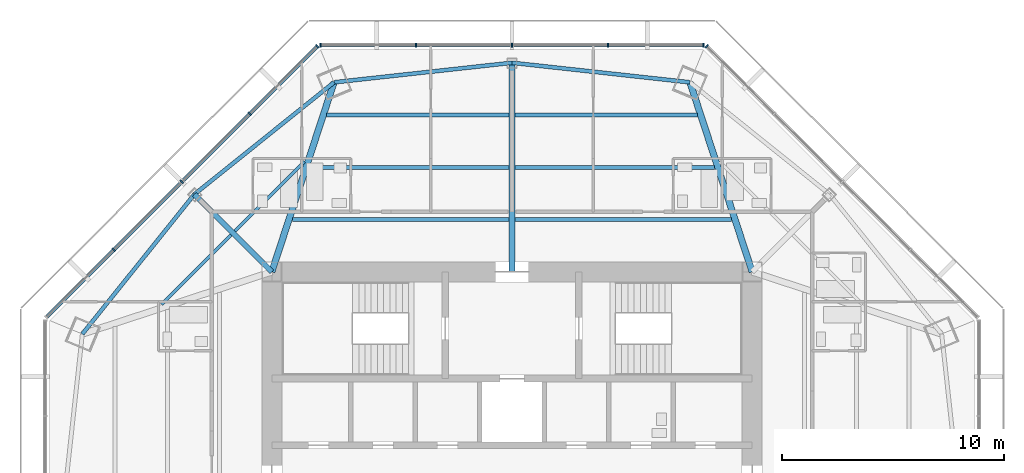
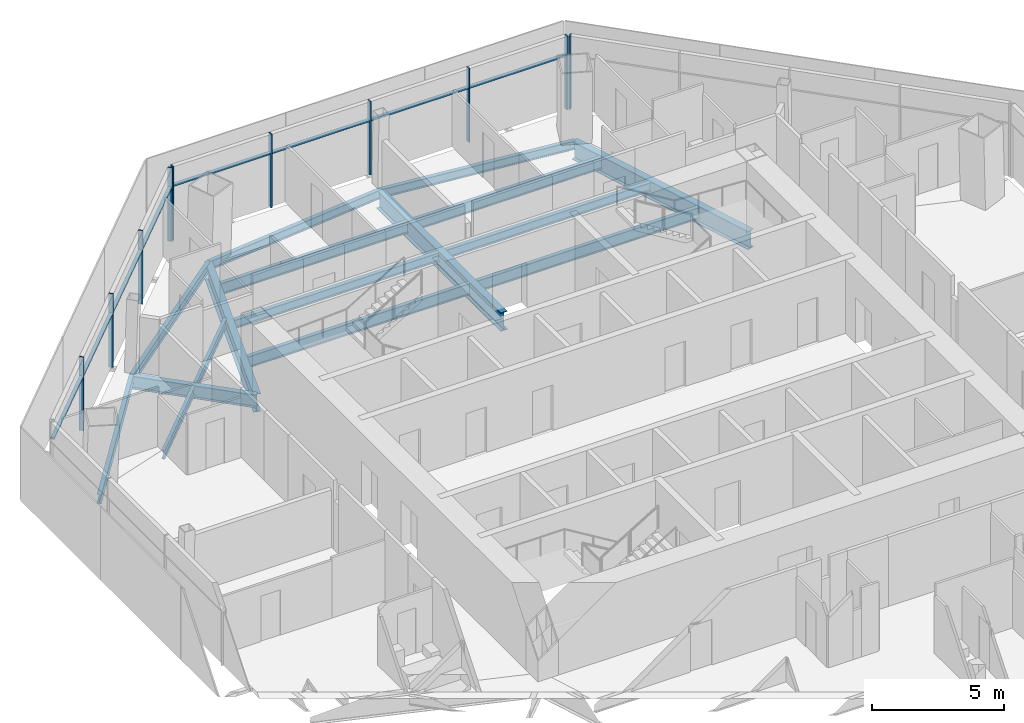
# One storey, part 5 of 15: 18 members, 16 beams, 3 elements without a shape of their own.
"""IFC4 building model written with IfcOpenShell, lengths in metres."""

from ifc_helpers import new_model, si_unit, direction, frame, origin, origin_2d, place, context, subcontext, project, spatial, rectangle, i_section, extrude, source, transform, mapped, material, material_profile, profile_set, type_object, type_shapes, element, aggregate, save


model = new_model("IFC4")

# Units and contexts
model_context = context("Model", 3, precision=1e-05, world=origin(), true_north=direction((0.0, 1.0)))
body_context = subcontext(model_context, "Body", "Model", "MODEL_VIEW")
ifc_project = project(units=[si_unit("LENGTHUNIT", "METRE"), si_unit("AREAUNIT", "SQUARE_METRE"), si_unit("VOLUMEUNIT", "CUBIC_METRE"), si_unit("PLANEANGLEUNIT", "RADIAN"), si_unit("MASSUNIT", "GRAM", prefix="KILO")], contexts=[model_context])

# Site, building, storey
site_placement = place(None, origin())
site = spatial("IfcSite", under=ifc_project, at=site_placement, CompositionType="ELEMENT")
building_placement = place(site_placement, origin())
building = spatial("IfcBuilding", under=site, at=building_placement, Name="Mashrafa Tower", CompositionType="ELEMENT")
storey_placement = place(building_placement, frame((0.0, 0.0, 248.199951171875)))
storey = spatial("IfcBuildingStorey", under=building, at=storey_placement, Name="L59", CompositionType="ELEMENT", Elevation=248.199951171875)

# Beams
ifc_material_1 = material(Name="Steel ASTM A992", Category="steel")
ifc_material_profile_1 = material_profile(ifc_material_1, i_section(OverallWidth=0.140380859375, OverallDepth=0.40380859375, WebThickness=0.007080078125, FlangeThickness=0.01123046875, FilletRadius=0.01025390625, at=origin_2d()), Name="W16X31")
ifc_profile_set_1 = profile_set([ifc_material_profile_1], Name="Steel ASTM A992")
beam_type_1 = type_object("IfcBeamType", Name="Beam W16X31", PredefinedType="BEAM", material=ifc_profile_set_1)
for number, where, z_axis, x_axis, name in (
    (1, (-15.756103515625, 9.326904296875, -0.40185546875), (0.707106781187, 0.707106781187, 0.0), (-0.707106781187, 0.707106781187, 0.0), "Floor beam L59 003"),
    (2, (-12.4609375, 12.6220703125, -0.40185546875), (0.707106781187, 0.707106781187, 0.0), (-0.707106781187, 0.707106781187, 0.0), "Floor beam L59 009"),
):
    element("IfcBeam", number, at=place(storey_placement, frame(where, z_axis=z_axis, x_axis=x_axis)), inside=storey, type_object=beam_type_1, Name=name, PredefinedType="BEAM", context=body_context, shape_type="SweptSolid", body=[
        extrude(i_section(OverallWidth=0.140380859375, OverallDepth=0.40380859375, WebThickness=0.007080078125, FlangeThickness=0.01123046875, FilletRadius=0.01025390625, at=origin_2d()), origin(), (0.0, 0.0, 1.0), 4.43212890625),
    ])
ifc_material_2 = material(Name="Steel ASTM A992", Category="steel")
ifc_material_profile_2 = material_profile(ifc_material_2, i_section(OverallWidth=0.177734375, OverallDepth=0.406494140625, WebThickness=0.0078125, FlangeThickness=0.012939453125, FilletRadius=0.01025390625, at=origin_2d()), Name="W16X40")
ifc_profile_set_2 = profile_set([ifc_material_profile_2], Name="Steel ASTM A992")
beam_type_2 = type_object("IfcBeamType", Name="Beam W16X40", PredefinedType="BEAM", material=ifc_profile_set_2)
for number, where, z_axis, x_axis, name in (
    (3, (-9.103515625, 15.49951171875, -0.403076171875), (1.0, 0.0, 0.0), (0.0, 1.0, 0.0), "Floor beam L59 011"),
    (4, (0.14599609375, 15.49951171875, -0.403076171875), (1.0, 0.0, 0.0), (0.0, 1.0, 0.0), "Floor beam L59 018"),
):
    element("IfcBeam", number, at=place(storey_placement, frame(where, z_axis=z_axis, x_axis=x_axis)), inside=storey, type_object=beam_type_2, Name=name, PredefinedType="BEAM", context=body_context, shape_type="SweptSolid", body=[
        extrude(i_section(OverallWidth=0.177734375, OverallDepth=0.406494140625, WebThickness=0.0078125, FlangeThickness=0.012939453125, FilletRadius=0.01025390625, at=origin_2d()), origin(), (0.0, 0.0, 1.0), 8.95751953125),
    ])
for number, where, z_axis, x_axis, name in (
    (5, (-14.282958984375, 14.282958984375, -0.403076171875), (-0.625741043171, -0.780030862781, 0.0), (0.780030862781, -0.625741043171, 0.0), "Spandrel beam L59 053"),
    (6, (-8.0029296875, 19.32080078125, -0.403076171875), (-0.780030862781, -0.625741043171, 0.0), (0.625741043171, -0.780030862781, 0.0), "Spandrel beam L59 055"),
    (7, (0.0, 20.19921875, -0.403076171875), (-0.994030035641, -0.109106774504, 0.0), (0.109106774504, -0.994030035641, 0.0), "Spandrel beam L59 057"),
    (8, (8.0029296875, 19.32080078125, -0.403076171875), (-0.994030035641, 0.109106774504, 0.0), (-0.109106774504, -0.994030035641, 0.0), "Spandrel beam L59 059"),
):
    element("IfcBeam", number, at=place(storey_placement, frame(where, z_axis=z_axis, x_axis=x_axis)), inside=storey, type_object=beam_type_2, Name=name, PredefinedType="BEAM", context=body_context, shape_type="SweptSolid", body=[
        extrude(i_section(OverallWidth=0.177734375, OverallDepth=0.406494140625, WebThickness=0.0078125, FlangeThickness=0.012939453125, FilletRadius=0.01025390625, at=origin_2d()), origin(), (0.0, 0.0, 1.0), 8.051025390625),
    ])
ifc_material_3 = material(Name="Steel ASTM A992", Category="steel")
ifc_material_profile_3 = material_profile(ifc_material_3, i_section(OverallWidth=0.165771484375, OverallDepth=0.5283203125, WebThickness=0.009765625, FlangeThickness=0.013671875, FilletRadius=0.012939453125, at=origin_2d()), Name="W21X50")
ifc_profile_set_3 = profile_set([ifc_material_profile_3], Name="Steel ASTM A992")
beam_type_3 = type_object("IfcBeamType", Name="Beam W21X50", PredefinedType="BEAM", material=ifc_profile_set_3)
beam_1_placement = place(storey_placement, frame((-9.875, 13.14990234375, -0.464111328125), z_axis=(1.0, 0.0, 0.0), x_axis=(0.0, 1.0, 0.0)))
element("IfcBeam", 9, at=beam_1_placement, inside=storey, type_object=beam_type_3, Name="Floor beam L59 010", PredefinedType="BEAM", context=body_context, shape_type="SweptSolid", body=[
    extrude(i_section(OverallWidth=0.165771484375, OverallDepth=0.5283203125, WebThickness=0.009765625, FlangeThickness=0.013671875, FilletRadius=0.012939453125, at=origin_2d()), origin(), (0.0, 0.0, 1.0), 9.72900390625),
])
beam_2_placement = place(storey_placement, frame((-8.332275390625, 17.849365234375, -0.464111328125), z_axis=(1.0, 0.0, 0.0), x_axis=(0.0, 1.0, 0.0)))
element("IfcBeam", 10, at=beam_2_placement, inside=storey, type_object=beam_type_3, Name="Floor beam L59 013", PredefinedType="BEAM", context=body_context, shape_type="SweptSolid", body=[
    extrude(i_section(OverallWidth=0.165771484375, OverallDepth=0.5283203125, WebThickness=0.009765625, FlangeThickness=0.013671875, FilletRadius=0.012939453125, at=origin_2d()), origin(), (0.0, 0.0, 1.0), 8.186279296875),
])
beam_3_placement = place(storey_placement, frame((0.14599609375, 13.14990234375, -0.464111328125), z_axis=(1.0, 0.0, 0.0), x_axis=(0.0, 1.0, 0.0)))
element("IfcBeam", 11, at=beam_3_placement, inside=storey, type_object=beam_type_3, Name="Floor beam L59 017", PredefinedType="BEAM", context=body_context, shape_type="SweptSolid", body=[
    extrude(i_section(OverallWidth=0.165771484375, OverallDepth=0.5283203125, WebThickness=0.009765625, FlangeThickness=0.013671875, FilletRadius=0.012939453125, at=origin_2d()), origin(), (0.0, 0.0, 1.0), 9.72900390625),
])
beam_4_placement = place(storey_placement, frame((0.14599609375, 17.849365234375, -0.464111328125), z_axis=(1.0, 0.0, 0.0), x_axis=(0.0, 1.0, 0.0)))
element("IfcBeam", 12, at=beam_4_placement, inside=storey, type_object=beam_type_3, Name="Floor beam L59 019", PredefinedType="BEAM", context=body_context, shape_type="SweptSolid", body=[
    extrude(i_section(OverallWidth=0.165771484375, OverallDepth=0.5283203125, WebThickness=0.009765625, FlangeThickness=0.013671875, FilletRadius=0.012939453125, at=origin_2d()), origin(), (0.0, 0.0, 1.0), 8.186279296875),
])
ifc_material_4 = material(Name="Steel ASTM A992", Category="steel")
ifc_material_profile_4 = material_profile(ifc_material_4, i_section(OverallWidth=0.227783203125, OverallDepth=0.60205078125, WebThickness=0.010498046875, FlangeThickness=0.014892578125, FilletRadius=0.012939453125, at=origin_2d()), Name="W24X68")
ifc_profile_set_4 = profile_set([ifc_material_profile_4], Name="Steel ASTM A992")
beam_type_4 = type_object("IfcBeamType", Name="Beam W24X68", PredefinedType="BEAM", material=ifc_profile_set_4)
beam_5_placement = place(storey_placement, frame((-10.800048828125, 10.800048828125, -0.5009765625), z_axis=(-0.707106781187, 0.707106781187, 0.0), x_axis=(-0.707106781187, -0.707106781187, 0.0)))
element("IfcBeam", 13, at=beam_5_placement, inside=storey, type_object=beam_type_4, Name="Radial girder L59 038", PredefinedType="BEAM", context=body_context, shape_type="SweptSolid", body=[
    extrude(i_section(OverallWidth=0.227783203125, OverallDepth=0.60205078125, WebThickness=0.010498046875, FlangeThickness=0.014892578125, FilletRadius=0.012939453125, at=origin_2d()), origin(), (0.0, 0.0, 1.0), 4.925537109375),
])
ifc_material_5 = material(Name="Steel ASTM A992", Category="steel")
ifc_material_profile_5 = material_profile(ifc_material_5, i_section(OverallWidth=0.2919921875, OverallDepth=0.8408203125, WebThickness=0.0146484375, FlangeThickness=0.021728515625, FilletRadius=0.017333984375, at=origin_2d()), Name="W33X130")
ifc_profile_set_5 = profile_set([ifc_material_profile_5], Name="Steel ASTM A992")
beam_type_5 = type_object("IfcBeamType", Name="Beam W33X130", PredefinedType="BEAM", material=ifc_profile_set_5)
for number, where, z_axis, x_axis, name in (
    (14, (-10.800048828125, 10.800048828125, -0.620361328125), (0.311895988624, 0.950116251982, 0.0), (-0.950116251982, 0.311895988624, 0.0), "Radial girder L59 039"),
    (15, (10.800048828125, 10.800048828125, -0.620361328125), (-0.311895988624, 0.950116251982, 0.0), (-0.950116251982, -0.311895988624, 0.0), "Radial girder L59 046"),
):
    element("IfcBeam", number, at=place(storey_placement, frame(where, z_axis=z_axis, x_axis=x_axis)), inside=storey, type_object=beam_type_5, Name=name, PredefinedType="BEAM", context=body_context, shape_type="SweptSolid", body=[
        extrude(i_section(OverallWidth=0.2919921875, OverallDepth=0.8408203125, WebThickness=0.0146484375, FlangeThickness=0.021728515625, FilletRadius=0.017333984375, at=origin_2d()), origin(), (0.0, 0.0, 1.0), 8.968017578125),
    ])
ifc_material_6 = material(Name="Steel ASTM A992", Category="steel")
ifc_material_profile_6 = material_profile(ifc_material_6, i_section(OverallWidth=0.2919921875, OverallDepth=0.8583984375, WebThickness=0.01708984375, FlangeThickness=0.031005859375, FilletRadius=0.017822265625, at=origin_2d()), Name="W33X169")
ifc_profile_set_6 = profile_set([ifc_material_profile_6], Name="Steel ASTM A992")
beam_type_6 = type_object("IfcBeamType", Name="Beam W33X169", PredefinedType="BEAM", material=ifc_profile_set_6)
beam_6_placement = place(storey_placement, frame((0.0, 10.800048828125, -0.629150390625), z_axis=(0.0, 1.0, 0.0), x_axis=(-1.0, 0.0, 0.0)))
element("IfcBeam", 16, at=beam_6_placement, inside=storey, type_object=beam_type_6, Name="Radial girder L59 041", PredefinedType="BEAM", context=body_context, shape_type="SweptSolid", body=[
    extrude(i_section(OverallWidth=0.2919921875, OverallDepth=0.8583984375, WebThickness=0.01708984375, FlangeThickness=0.031005859375, FilletRadius=0.017822265625, at=origin_2d()), origin(), (0.0, 0.0, 1.0), 9.399169921875),
])

# Curtain wall, member
ifc_material_7 = material(Name="Unitised aluminium curtain wall", Category="aluminium")
curtain_wall_type = type_object("IfcCurtainWallType", Name="Apartment curtain wall, zone 3 CW-C 180 deep", PredefinedType="NOTDEFINED", material=ifc_material_7)
curtain_wall_1_placement = place(storey_placement, origin())
curtain_wall_1 = element("IfcCurtainWall", 17, at=curtain_wall_1_placement, inside=storey, type_object=curtain_wall_type, Name="Apartment curtain wall, zone 3 L59 north-east", PredefinedType="NOTDEFINED")
ifc_material_8 = material(Name="Extruded aluminium mullion", Category="aluminium")
ifc_material_profile_7 = material_profile(ifc_material_8, rectangle(XDim=0.179931640625, YDim=0.06005859375, at=origin_2d()), Name="Mullion 60x180")
ifc_profile_set_7 = profile_set([ifc_material_profile_7], Name="Extruded aluminium mullion")
member_type_1 = type_object("IfcMemberType", Name="Mullion CW-C 60 x 180", PredefinedType="MULLION", material=ifc_profile_set_7)
shared_shape_1 = source(origin(), body_context, "Body", "SweptSolid", [
    extrude(rectangle(XDim=0.179931640625, YDim=0.06005859375, at=origin_2d()), origin(), (0.0, 0.0, 1.0), 3.400146484375),
])
type_shapes(member_type_1, [shared_shape_1])
member_1_placement = place(storey_placement, frame((8.75048828125, 20.93896484375, 0.0), z_axis=(0.0, 0.0, 1.0), x_axis=(-0.707106781187, -0.707106781187, 0.0)))
member_1 = element("IfcMember", 18, at=member_1_placement, type_object=member_type_1, Name="CW-C mullion 5", PredefinedType="MULLION", context=body_context, shape_type="MappedRepresentation", body=[
    mapped(shared_shape_1, transform((0.0, 0.0, 0.0))),
])
aggregate(curtain_wall_1, [member_1])

# Curtain wall, members
curtain_wall_2_placement = place(storey_placement, origin())
curtain_wall_2 = element("IfcCurtainWall", 19, at=curtain_wall_2_placement, inside=storey, type_object=curtain_wall_type, Name="Apartment curtain wall, zone 3 L59 north", PredefinedType="NOTDEFINED")
member_2_placement = place(storey_placement, frame((8.618408203125, 20.993408203125, 0.0), z_axis=(0.0, 0.0, 1.0), x_axis=(0.0, -1.0, 0.0)))
member_2 = element("IfcMember", 20, at=member_2_placement, type_object=member_type_1, Name="CW-C mullion 1", PredefinedType="MULLION", context=body_context, shape_type="MappedRepresentation", body=[
    mapped(shared_shape_1, transform((0.0, 0.0, 0.0))),
])
member_3_placement = place(storey_placement, frame((4.32421875, 20.993408203125, 0.0), z_axis=(0.0, 0.0, 1.0), x_axis=(0.0, -1.0, 0.0)))
member_3 = element("IfcMember", 21, at=member_3_placement, type_object=member_type_1, Name="CW-C mullion 2", PredefinedType="MULLION", context=body_context, shape_type="MappedRepresentation", body=[
    mapped(shared_shape_1, transform((0.0, 0.0, 0.0))),
])
member_4_placement = place(storey_placement, frame((0.0, 20.993408203125, 0.0), z_axis=(0.0, 0.0, 1.0), x_axis=(0.0, -1.0, 0.0)))
member_4 = element("IfcMember", 22, at=member_4_placement, type_object=member_type_1, Name="CW-C mullion 3", PredefinedType="MULLION", context=body_context, shape_type="MappedRepresentation", body=[
    mapped(shared_shape_1, transform((0.0, 0.0, 0.0))),
])
member_5_placement = place(storey_placement, frame((-4.32421875, 20.993408203125, 0.0), z_axis=(0.0, 0.0, 1.0), x_axis=(0.0, -1.0, 0.0)))
member_5 = element("IfcMember", 23, at=member_5_placement, type_object=member_type_1, Name="CW-C mullion 4", PredefinedType="MULLION", context=body_context, shape_type="MappedRepresentation", body=[
    mapped(shared_shape_1, transform((0.0, 0.0, 0.0))),
])
member_6_placement = place(storey_placement, frame((-8.618408203125, 20.993408203125, 0.0), z_axis=(0.0, 0.0, 1.0), x_axis=(0.0, -1.0, 0.0)))
member_6 = element("IfcMember", 24, at=member_6_placement, type_object=member_type_1, Name="CW-C mullion 5", PredefinedType="MULLION", context=body_context, shape_type="MappedRepresentation", body=[
    mapped(shared_shape_1, transform((0.0, 0.0, 0.0))),
])

curtain_wall_3_placement = place(storey_placement, origin())
curtain_wall_3 = element("IfcCurtainWall", 25, at=curtain_wall_3_placement, inside=storey, type_object=curtain_wall_type, Name="Apartment curtain wall, zone 3 L59 north-west", PredefinedType="NOTDEFINED")
member_7_placement = place(storey_placement, frame((-8.75048828125, 20.93896484375, 0.0), z_axis=(0.0, 0.0, 1.0), x_axis=(0.707106781187, -0.707106781187, 0.0)))
member_7 = element("IfcMember", 26, at=member_7_placement, type_object=member_type_1, Name="CW-C mullion 1", PredefinedType="MULLION", context=body_context, shape_type="MappedRepresentation", body=[
    mapped(shared_shape_1, transform((0.0, 0.0, 0.0))),
])
member_8_placement = place(storey_placement, frame((-11.786865234375, 17.90234375, 0.0), z_axis=(0.0, 0.0, 1.0), x_axis=(0.707106781187, -0.707106781187, 0.0)))
member_8 = element("IfcMember", 27, at=member_8_placement, type_object=member_type_1, Name="CW-C mullion 2", PredefinedType="MULLION", context=body_context, shape_type="MappedRepresentation", body=[
    mapped(shared_shape_1, transform((0.0, 0.0, 0.0))),
])
member_9_placement = place(storey_placement, frame((-14.8447265625, 14.8447265625, 0.0), z_axis=(0.0, 0.0, 1.0), x_axis=(0.707106781187, -0.707106781187, 0.0)))
member_9 = element("IfcMember", 28, at=member_9_placement, type_object=member_type_1, Name="CW-C mullion 3", PredefinedType="MULLION", context=body_context, shape_type="MappedRepresentation", body=[
    mapped(shared_shape_1, transform((0.0, 0.0, 0.0))),
])
member_10_placement = place(storey_placement, frame((-17.90234375, 11.786865234375, 0.0), z_axis=(0.0, 0.0, 1.0), x_axis=(0.707106781187, -0.707106781187, 0.0)))
member_10 = element("IfcMember", 29, at=member_10_placement, type_object=member_type_1, Name="CW-C mullion 4", PredefinedType="MULLION", context=body_context, shape_type="MappedRepresentation", body=[
    mapped(shared_shape_1, transform((0.0, 0.0, 0.0))),
])

# Member
ifc_material_9 = material(Name="Extruded aluminium transom", Category="aluminium")
ifc_material_profile_8 = material_profile(ifc_material_9, rectangle(XDim=0.14404296875, YDim=0.074951171875, at=origin_2d()), Name="Transom 75x144")
ifc_profile_set_8 = profile_set([ifc_material_profile_8], Name="Extruded aluminium transom")
member_type_2 = type_object("IfcMemberType", Name="Transom CW-C 75 x 144", PredefinedType="MULLION", material=ifc_profile_set_8)
shared_shape_2 = source(origin(), body_context, "Body", "SweptSolid", [
    extrude(rectangle(XDim=0.14404296875, YDim=0.074951171875, at=origin_2d()), origin(), (0.0, 0.0, 1.0), 4.234375),
])
member_11_placement = place(storey_placement, frame((8.588623046875, 20.993408203125, 2.5), z_axis=(-1.0, 0.0, 0.0), x_axis=(0.0, -1.0, 0.0)))
member_11 = element("IfcMember", 30, at=member_11_placement, type_object=member_type_2, Name="CW-C transom 1", PredefinedType="MULLION", context=body_context, shape_type="MappedRepresentation", body=[
    mapped(shared_shape_2, transform((0.0, 0.0, 0.0))),
])

member_12_placement = place(storey_placement, frame((-4.354248046875, 20.993408203125, 2.5), z_axis=(-1.0, 0.0, 0.0), x_axis=(0.0, -1.0, 0.0)))
member_12 = element("IfcMember", 31, at=member_12_placement, type_object=member_type_2, Name="CW-C transom 4", PredefinedType="MULLION", context=body_context, shape_type="MappedRepresentation", body=[
    mapped(shared_shape_2, transform((0.0, 0.0, 0.0))),
])

shared_shape_3 = source(origin(), body_context, "Body", "SweptSolid", [
    extrude(rectangle(XDim=0.14404296875, YDim=0.074951171875, at=origin_2d()), origin(), (0.0, 0.0, 1.0), 4.26416015625),
])
member_13_placement = place(storey_placement, frame((4.294189453125, 20.993408203125, 2.5), z_axis=(-1.0, 0.0, 0.0), x_axis=(0.0, -1.0, 0.0)))
member_13 = element("IfcMember", 32, at=member_13_placement, type_object=member_type_2, Name="CW-C transom 2", PredefinedType="MULLION", context=body_context, shape_type="MappedRepresentation", body=[
    mapped(shared_shape_3, transform((0.0, 0.0, 0.0))),
])

member_14_placement = place(storey_placement, frame((-0.030029296875, 20.993408203125, 2.5), z_axis=(-1.0, 0.0, 0.0), x_axis=(0.0, -1.0, 0.0)))
member_14 = element("IfcMember", 33, at=member_14_placement, type_object=member_type_2, Name="CW-C transom 3", PredefinedType="MULLION", context=body_context, shape_type="MappedRepresentation", body=[
    mapped(shared_shape_3, transform((0.0, 0.0, 0.0))),
])

aggregate(curtain_wall_2, [member_2, member_3, member_4, member_5, member_6, member_11, member_13, member_14, member_12])

member_15_placement = place(storey_placement, frame((-11.80810546875, 17.881103515625, 2.5), z_axis=(-0.707135407253, -0.707078153961, 0.0), x_axis=(0.707078153961, -0.707135407253, 0.0)))
member_15 = element("IfcMember", 34, at=member_15_placement, type_object=member_type_2, Name="CW-C transom 2", PredefinedType="MULLION", context=body_context, shape_type="MappedRepresentation", body=[
    mapped(shared_shape_3, transform((0.0, 0.0, 0.0))),
])

member_16_placement = place(storey_placement, frame((-14.865966796875, 14.823486328125, 2.5), z_axis=(-0.707078153961, -0.707135407253, 0.0), x_axis=(0.707135407253, -0.707078153961, 0.0)))
member_16 = element("IfcMember", 35, at=member_16_placement, type_object=member_type_2, Name="CW-C transom 3", PredefinedType="MULLION", context=body_context, shape_type="MappedRepresentation", body=[
    mapped(shared_shape_3, transform((0.0, 0.0, 0.0))),
])

shared_shape_4 = source(origin(), body_context, "Body", "SweptSolid", [
    extrude(rectangle(XDim=0.14404296875, YDim=0.074951171875, at=origin_2d()), origin(), (0.0, 0.0, 1.0), 4.234130859375),
])
type_shapes(member_type_2, [shared_shape_2, shared_shape_3, shared_shape_4])
member_17_placement = place(storey_placement, frame((-8.771728515625, 20.917724609375, 2.5), z_axis=(-0.707077950869, -0.707135610329, 0.0), x_axis=(0.707135610329, -0.707077950869, 0.0)))
member_17 = element("IfcMember", 36, at=member_17_placement, type_object=member_type_2, Name="CW-C transom 1", PredefinedType="MULLION", context=body_context, shape_type="MappedRepresentation", body=[
    mapped(shared_shape_4, transform((0.0, 0.0, 0.0))),
])

member_18_placement = place(storey_placement, frame((-17.923583984375, 11.765625, 2.5), z_axis=(-0.707135610329, -0.707077950869, 0.0), x_axis=(0.707077950869, -0.707135610329, 0.0)))
member_18 = element("IfcMember", 37, at=member_18_placement, type_object=member_type_2, Name="CW-C transom 4", PredefinedType="MULLION", context=body_context, shape_type="MappedRepresentation", body=[
    mapped(shared_shape_4, transform((0.0, 0.0, 0.0))),
])

aggregate(curtain_wall_3, [member_7, member_8, member_9, member_10, member_17, member_15, member_16, member_18])

save(model, "model.ifc")
